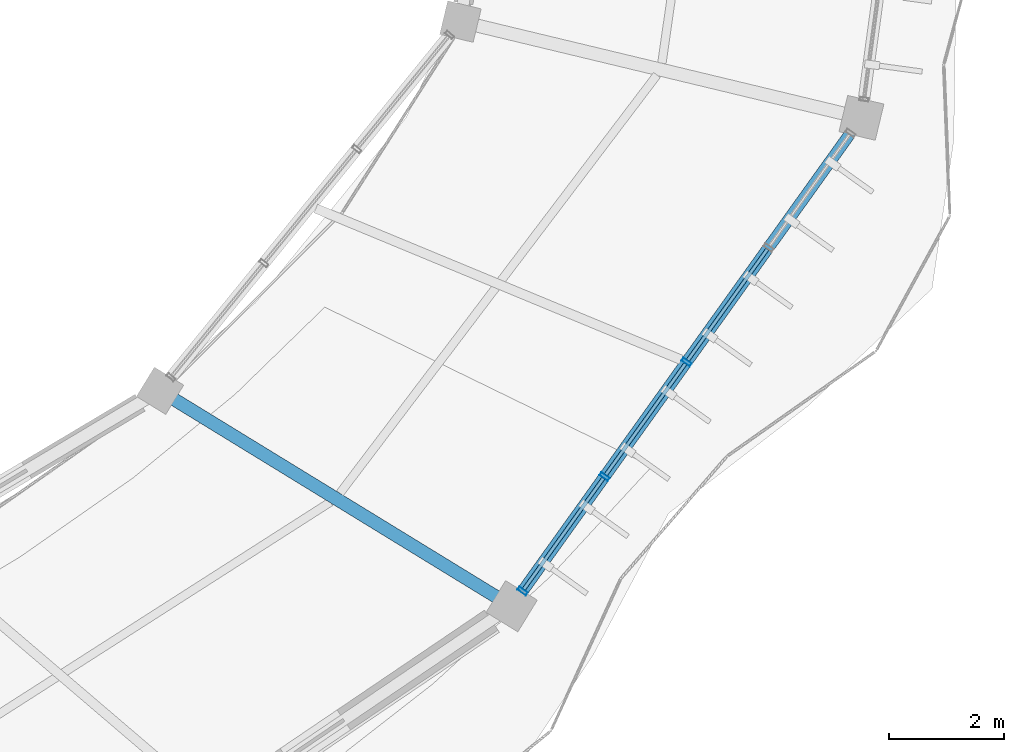
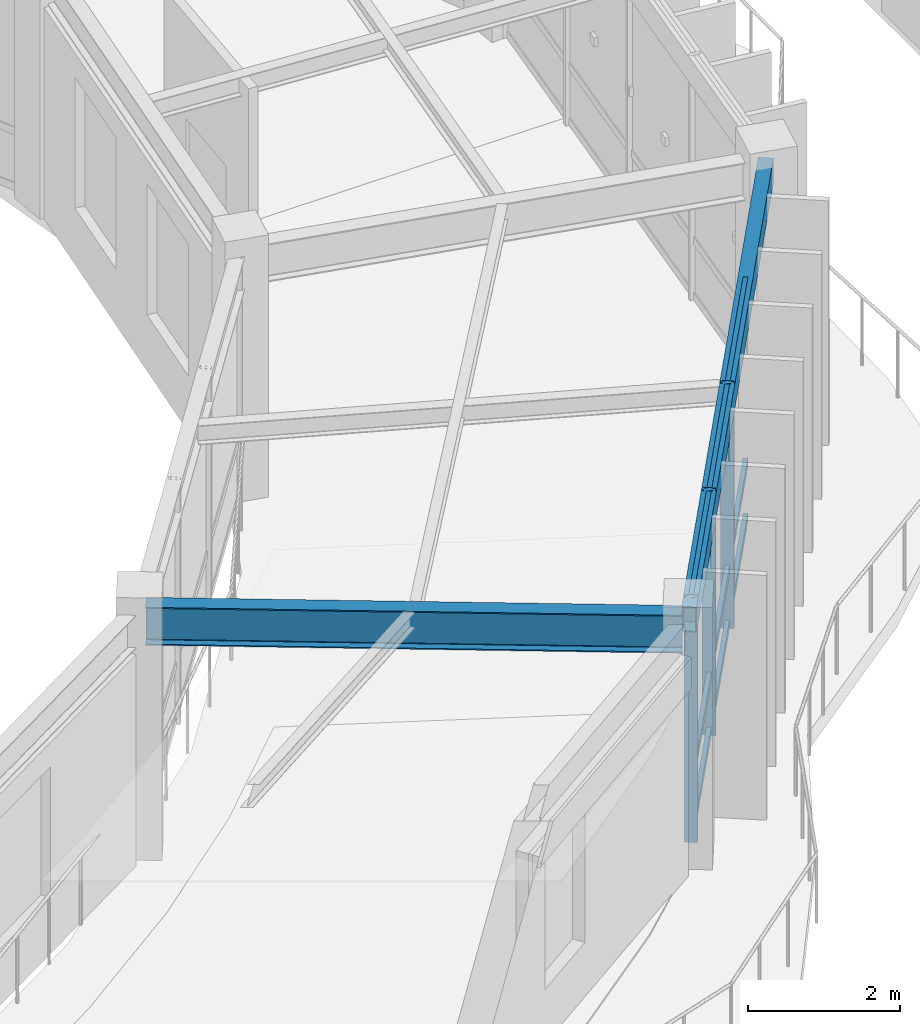
# One storey, part 73 of 114: 12 members, 2 beams, 1 element without a shape of its own.
"""IFC4 building model written with IfcOpenShell, lengths in metres."""

from ifc_helpers import new_model, si_unit, direction, frame, origin, origin_2d, place, context, subcontext, project, spatial, hollow_rectangle, i_section, extrude, material, material_profile, profile_set, type_object, element, aggregate, save


model = new_model("IFC4")

# Units and contexts
model_context = context("Model", 3, precision=1e-05, world=origin(), true_north=direction((0.0, 1.0)))
body_context = subcontext(model_context, "Body", "Model", "MODEL_VIEW")
ifc_project = project(units=[si_unit("LENGTHUNIT", "METRE"), si_unit("AREAUNIT", "SQUARE_METRE"), si_unit("VOLUMEUNIT", "CUBIC_METRE"), si_unit("PLANEANGLEUNIT", "RADIAN"), si_unit("MASSUNIT", "GRAM", prefix="KILO"), si_unit("THERMODYNAMICTEMPERATUREUNIT", "KELVIN"), si_unit("POWERUNIT", "WATT")], contexts=[model_context])

# Site, building, storey
site_placement = place(None, origin())
site = spatial("IfcSite", under=ifc_project, at=site_placement, CompositionType="ELEMENT")
building_placement = place(site_placement, origin())
building = spatial("IfcBuilding", under=site, at=building_placement, Name="Darbajah Civic Hall", CompositionType="ELEMENT")
storey_placement = place(building_placement, frame((0.0, 0.0, 13.800048828125)))
storey = spatial("IfcBuildingStorey", under=building, at=storey_placement, Name="L03", CompositionType="ELEMENT", Elevation=13.800048828125)

# Curtain wall, members
ifc_material_1 = material(Name="Anodised Bronze Aluminium and Low-E Glazing", Category="aluminium")
curtain_wall_type = type_object("IfcCurtainWallType", Name="Unitised Curtain Wall CW-51 9800x3900", PredefinedType="USERDEFINED", material=ifc_material_1)
curtain_wall_placement = place(storey_placement, origin())
curtain_wall = element("IfcCurtainWall", 1, at=curtain_wall_placement, inside=storey, type_object=curtain_wall_type, Name="L03 unitised curtain wall CW-V1O-L03-18", ObjectType="UNITISED CURTAIN WALL", PredefinedType="USERDEFINED")
ifc_material_2 = material(Name="Anodised Bronze Aluminium", Category="aluminium")
ifc_material_profile_1 = material_profile(ifc_material_2, hollow_rectangle(XDim=0.06494140625, YDim=0.179931640625, WallThickness=0.00390625, at=origin_2d()), Name="ALU MULLION 65x180")
ifc_profile_set_1 = profile_set([ifc_material_profile_1], Name="Anodised Bronze Aluminium")
member_type_1 = type_object("IfcMemberType", Name="ALU MULLION 65x180", PredefinedType="MULLION", material=ifc_profile_set_1)
member_1_placement = place(storey_placement, frame((132.77490234375, 74.652099609375, 0.0), z_axis=(0.0, 0.0, 1.0), x_axis=(0.582264874145, 0.812999149039, 0.0)))
member_1 = element("IfcMember", 2, at=member_1_placement, type_object=member_type_1, Name="CW-V1O-L03-18 mullion 1", PredefinedType="MULLION", context=body_context, shape_type="SweptSolid", body=[
    extrude(hollow_rectangle(XDim=0.06494140625, YDim=0.179931640625, WallThickness=0.00390625, at=origin_2d()), origin(), (0.0, 0.0, 1.0), 3.919921875),
])
member_2_placement = place(storey_placement, frame((134.206298828125, 76.65087890625, 0.0), z_axis=(0.0, 0.0, 1.0), x_axis=(0.582264874145, 0.812999149039, 0.0)))
member_2 = element("IfcMember", 3, at=member_2_placement, type_object=member_type_1, Name="CW-V1O-L03-18 mullion 2", PredefinedType="MULLION", context=body_context, shape_type="SweptSolid", body=[
    extrude(hollow_rectangle(XDim=0.06494140625, YDim=0.179931640625, WallThickness=0.00390625, at=origin_2d()), origin(), (0.0, 0.0, 1.0), 3.919921875),
])
member_3_placement = place(storey_placement, frame((135.6376953125, 78.64990234375, 0.0), z_axis=(0.0, 0.0, 1.0), x_axis=(0.582264874145, 0.812999149039, 0.0)))
member_3 = element("IfcMember", 4, at=member_3_placement, type_object=member_type_1, Name="CW-V1O-L03-18 mullion 3", PredefinedType="MULLION", context=body_context, shape_type="SweptSolid", body=[
    extrude(hollow_rectangle(XDim=0.06494140625, YDim=0.179931640625, WallThickness=0.00390625, at=origin_2d()), origin(), (0.0, 0.0, 1.0), 3.919921875),
])
ifc_material_profile_2 = material_profile(ifc_material_2, hollow_rectangle(XDim=0.06494140625, YDim=0.139892578125, WallThickness=0.00341796875, at=origin_2d()), Name="ALU TRANSOM 65x140")
ifc_profile_set_2 = profile_set([ifc_material_profile_2], Name="Anodised Bronze Aluminium")
member_type_2 = type_object("IfcMemberType", Name="ALU TRANSOM 65x140", PredefinedType="USERDEFINED", material=ifc_profile_set_2)
member_4_placement = place(storey_placement, frame((132.796875, 74.6826171875, 0.070068359375), z_axis=(0.582187311345, 0.81305469343, 0.0), x_axis=(-0.81305469343, 0.582187311345, 0.0)))
member_4 = element("IfcMember", 5, at=member_4_placement, type_object=member_type_2, Name="CW-V1O-L03-18 transom 1.1", ObjectType="TRANSOM", PredefinedType="USERDEFINED", context=body_context, shape_type="SweptSolid", body=[
    extrude(hollow_rectangle(XDim=0.06494140625, YDim=0.139892578125, WallThickness=0.00341796875, at=origin_2d()), origin(), (0.0, 0.0, 1.0), 2.383544921875),
])
member_5_placement = place(storey_placement, frame((132.796875, 74.6826171875, 0.949951171875), z_axis=(0.582187311345, 0.81305469343, 0.0), x_axis=(-0.81305469343, 0.582187311345, 0.0)))
member_5 = element("IfcMember", 6, at=member_5_placement, type_object=member_type_2, Name="CW-V1O-L03-18 transom 1.2", ObjectType="TRANSOM", PredefinedType="USERDEFINED", context=body_context, shape_type="SweptSolid", body=[
    extrude(hollow_rectangle(XDim=0.06494140625, YDim=0.139892578125, WallThickness=0.00341796875, at=origin_2d()), origin(), (0.0, 0.0, 1.0), 2.383544921875),
])
member_6_placement = place(storey_placement, frame((132.796875, 74.6826171875, 3.849853515625), z_axis=(0.582187311345, 0.81305469343, 0.0), x_axis=(-0.81305469343, 0.582187311345, 0.0)))
member_6 = element("IfcMember", 7, at=member_6_placement, type_object=member_type_2, Name="CW-V1O-L03-18 transom 1.3", ObjectType="TRANSOM", PredefinedType="USERDEFINED", context=body_context, shape_type="SweptSolid", body=[
    extrude(hollow_rectangle(XDim=0.06494140625, YDim=0.139892578125, WallThickness=0.00341796875, at=origin_2d()), origin(), (0.0, 0.0, 1.0), 2.383544921875),
])
member_7_placement = place(storey_placement, frame((134.228271484375, 76.681396484375, 0.070068359375), z_axis=(0.582187311345, 0.81305469343, 0.0), x_axis=(-0.81305469343, 0.582187311345, 0.0)))
member_7 = element("IfcMember", 8, at=member_7_placement, type_object=member_type_2, Name="CW-V1O-L03-18 transom 2.1", ObjectType="TRANSOM", PredefinedType="USERDEFINED", context=body_context, shape_type="SweptSolid", body=[
    extrude(hollow_rectangle(XDim=0.06494140625, YDim=0.139892578125, WallThickness=0.00341796875, at=origin_2d()), origin(), (0.0, 0.0, 1.0), 2.383544921875),
])
member_8_placement = place(storey_placement, frame((134.228271484375, 76.681396484375, 0.949951171875), z_axis=(0.582187311345, 0.81305469343, 0.0), x_axis=(-0.81305469343, 0.582187311345, 0.0)))
member_8 = element("IfcMember", 9, at=member_8_placement, type_object=member_type_2, Name="CW-V1O-L03-18 transom 2.2", ObjectType="TRANSOM", PredefinedType="USERDEFINED", context=body_context, shape_type="SweptSolid", body=[
    extrude(hollow_rectangle(XDim=0.06494140625, YDim=0.139892578125, WallThickness=0.00341796875, at=origin_2d()), origin(), (0.0, 0.0, 1.0), 2.383544921875),
])
member_9_placement = place(storey_placement, frame((134.228271484375, 76.681396484375, 3.849853515625), z_axis=(0.582187311345, 0.81305469343, 0.0), x_axis=(-0.81305469343, 0.582187311345, 0.0)))
member_9 = element("IfcMember", 10, at=member_9_placement, type_object=member_type_2, Name="CW-V1O-L03-18 transom 2.3", ObjectType="TRANSOM", PredefinedType="USERDEFINED", context=body_context, shape_type="SweptSolid", body=[
    extrude(hollow_rectangle(XDim=0.06494140625, YDim=0.139892578125, WallThickness=0.00341796875, at=origin_2d()), origin(), (0.0, 0.0, 1.0), 2.383544921875),
])
member_10_placement = place(storey_placement, frame((135.65966796875, 78.680419921875, 0.070068359375), z_axis=(0.582235797535, 0.813019972737, 0.0), x_axis=(-0.813019972737, 0.582235797535, 0.0)))
member_10 = element("IfcMember", 11, at=member_10_placement, type_object=member_type_2, Name="CW-V1O-L03-18 transom 3.1", ObjectType="TRANSOM", PredefinedType="USERDEFINED", context=body_context, shape_type="SweptSolid", body=[
    extrude(hollow_rectangle(XDim=0.06494140625, YDim=0.139892578125, WallThickness=0.00341796875, at=origin_2d()), origin(), (0.0, 0.0, 1.0), 2.38330078125),
])
member_11_placement = place(storey_placement, frame((135.65966796875, 78.680419921875, 0.949951171875), z_axis=(0.582235797535, 0.813019972737, 0.0), x_axis=(-0.813019972737, 0.582235797535, 0.0)))
member_11 = element("IfcMember", 12, at=member_11_placement, type_object=member_type_2, Name="CW-V1O-L03-18 transom 3.2", ObjectType="TRANSOM", PredefinedType="USERDEFINED", context=body_context, shape_type="SweptSolid", body=[
    extrude(hollow_rectangle(XDim=0.06494140625, YDim=0.139892578125, WallThickness=0.00341796875, at=origin_2d()), origin(), (0.0, 0.0, 1.0), 2.38330078125),
])
member_12_placement = place(storey_placement, frame((135.65966796875, 78.680419921875, 3.849853515625), z_axis=(0.582235797535, 0.813019972737, 0.0), x_axis=(-0.813019972737, 0.582235797535, 0.0)))
member_12 = element("IfcMember", 13, at=member_12_placement, type_object=member_type_2, Name="CW-V1O-L03-18 transom 3.3", ObjectType="TRANSOM", PredefinedType="USERDEFINED", context=body_context, shape_type="SweptSolid", body=[
    extrude(hollow_rectangle(XDim=0.06494140625, YDim=0.139892578125, WallThickness=0.00341796875, at=origin_2d()), origin(), (0.0, 0.0, 1.0), 2.38330078125),
])
aggregate(curtain_wall, [member_1, member_2, member_3, member_4, member_5, member_6, member_7, member_8, member_9, member_10, member_11, member_12])

# Beams
ifc_material_3 = material(Name="Steel S355JR", Category="steel")
ifc_material_profile_3 = material_profile(ifc_material_3, hollow_rectangle(XDim=0.199951171875, YDim=0.39990234375, WallThickness=0.013916015625, at=origin_2d()), Name="RHS 400x200x14")
ifc_profile_set_3 = profile_set([ifc_material_profile_3], Name="Steel S355JR")
beam_type_1 = type_object("IfcBeamType", Name="RHS 400x200x14", PredefinedType="SPANDREL", material=ifc_profile_set_3)
beam_1_placement = place(storey_placement, frame((132.631103515625, 74.451416015625, 3.719970703125), z_axis=(0.58222165068, 0.813030103674, 0.0), x_axis=(-0.813030103674, 0.58222165068, 0.0)))
element("IfcBeam", 14, at=beam_1_placement, inside=storey, type_object=beam_type_1, Name="L03 beam SP-RHS400", PredefinedType="SPANDREL", context=body_context, shape_type="SweptSolid", body=[
    extrude(hollow_rectangle(XDim=0.199951171875, YDim=0.39990234375, WallThickness=0.013916015625, at=origin_2d()), origin(), (0.0, 0.0, 1.0), 10.327880859375),
])
ifc_material_profile_4 = material_profile(ifc_material_3, i_section(OverallWidth=0.228271484375, OverallDepth=0.607666015625, WebThickness=0.010986328125, FlangeThickness=0.017333984375, FilletRadius=0.0126953125, at=origin_2d()), Name="UB 610x229x113")
ifc_profile_set_4 = profile_set([ifc_material_profile_4], Name="Steel S355JR")
beam_type_2 = type_object("IfcBeamType", Name="UB 610x229x113", PredefinedType="BEAM", material=ifc_profile_set_4)
beam_2_placement = place(storey_placement, frame((126.513916015625, 78.1064453125, 3.6162109375), z_axis=(0.852629661041, -0.522515704178, 0.0), x_axis=(0.522515704178, 0.852629661041, 0.0)))
element("IfcBeam", 15, at=beam_2_placement, inside=storey, type_object=beam_type_2, Name="L03 beam SB-610", PredefinedType="BEAM", context=body_context, shape_type="SweptSolid", body=[
    extrude(i_section(OverallWidth=0.228271484375, OverallDepth=0.607666015625, WebThickness=0.010986328125, FlangeThickness=0.017333984375, FilletRadius=0.0126953125, at=origin_2d()), origin(), (0.0, 0.0, 1.0), 7.039794921875),
])

save(model, "model.ifc")
